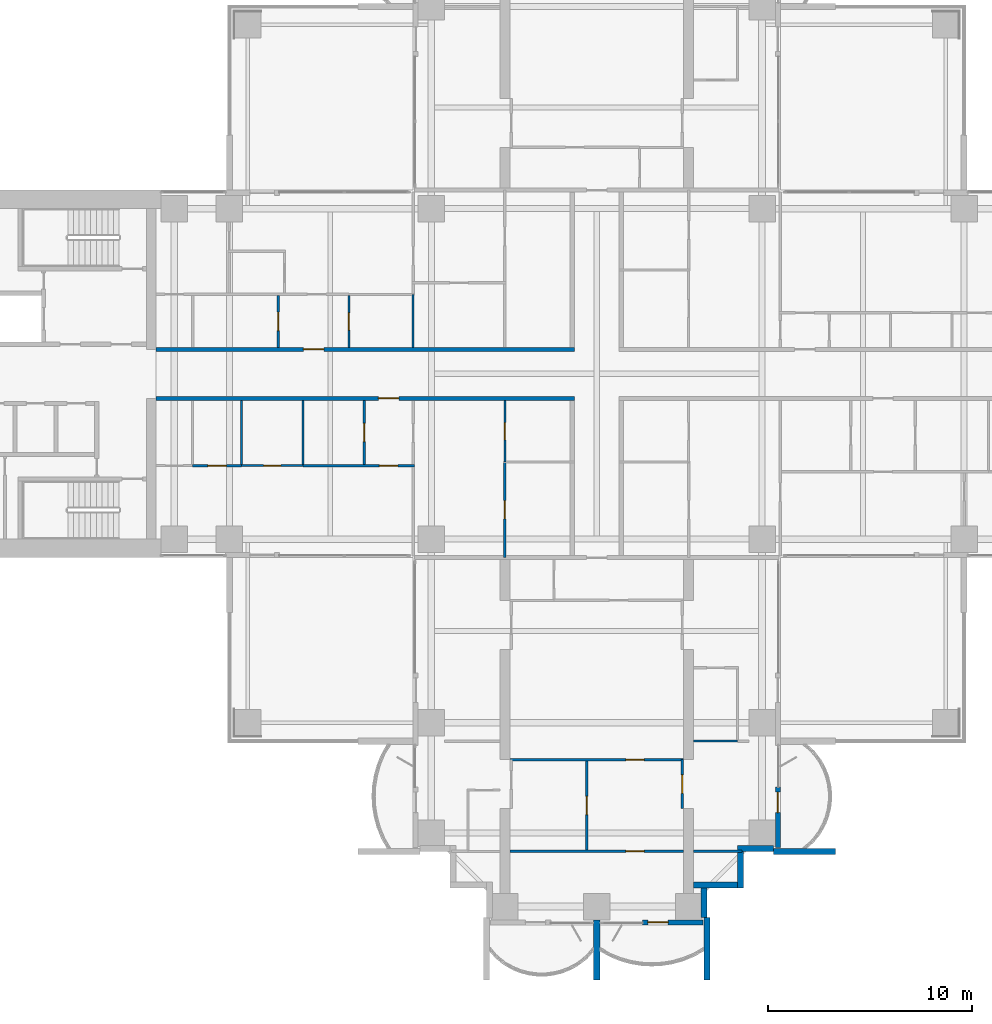
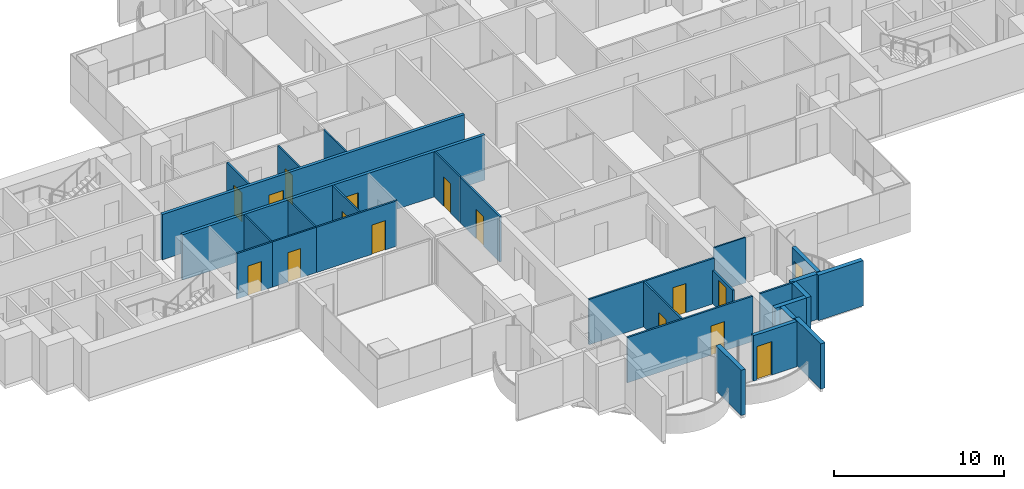
# One storey, part 11 of 21: 28 walls, 16 doors, 16 openings.
"""IFC4 building model written with IfcOpenShell, lengths in metres."""

from ifc_helpers import new_model, si_unit, direction, frame, frame_2d, origin, place, context, subcontext, project, spatial, rectangle, extrude, material, layer, layer_set, type_object, element, fill, save


model = new_model("IFC4")

# Units and contexts
model_context = context("Model", 3, precision=1e-05, world=origin(), true_north=direction((0.0, 1.0)))
body_context = subcontext(model_context, "Body", "Model", "MODEL_VIEW")
ifc_project = project(units=[si_unit("LENGTHUNIT", "METRE"), si_unit("AREAUNIT", "SQUARE_METRE"), si_unit("VOLUMEUNIT", "CUBIC_METRE"), si_unit("PLANEANGLEUNIT", "RADIAN"), si_unit("MASSUNIT", "GRAM", prefix="KILO")], contexts=[model_context])

# Site, building, storey
site_placement = place(None, origin())
site = spatial("IfcSite", under=ifc_project, at=site_placement, CompositionType="ELEMENT")
building_placement = place(site_placement, origin())
building = spatial("IfcBuilding", under=site, at=building_placement, Name="Perihelion Cross Residences", CompositionType="ELEMENT")
storey_placement = place(building_placement, frame((0.0, 0.0, 40.0)))
storey = spatial("IfcBuildingStorey", under=building, at=storey_placement, Name="L06", CompositionType="ELEMENT", Elevation=40.0)

# Wall, opening, door
ifc_material_1 = material(Name="Plasterboard partition")
ifc_layer_1 = layer(ifc_material_1, 0.199951171875)
ifc_layer_set_1 = layer_set([ifc_layer_1], Name="Apartment separation wall 200")
wall_type_1 = type_object("IfcWallType", Name="Apartment separation wall 200", PredefinedType="PARTITIONING", material=ifc_layer_set_1)
wall_1_placement = place(storey_placement, frame((-21.60009765625, 1.199951171875, 0.0), z_axis=(0.0, 0.0, 1.0), x_axis=(1.0, 0.0, 0.0)))
wall_1 = element("IfcWall", 1, at=wall_1_placement, inside=storey, type_object=wall_type_1, Name="Partition L06 W005", PredefinedType="PARTITIONING", context=body_context, shape_type="SweptSolid", body=[
    extrude(rectangle(XDim=20.5, YDim=0.199951171875, at=frame_2d((10.25, 0.0))), origin(), (0.0, 0.0, 1.0), 3.25),
])
opening_1_placement = place(wall_1_placement, frame((7.22509765625, 0.0, 0.0)))
opening_1 = element("IfcOpeningElement", 2, at=opening_1_placement, cuts=wall_1, Name="Opening L06.A52", PredefinedType="OPENING", context=body_context, shape_type="SweptSolid", body=[
    extrude(rectangle(XDim=1.0, YDim=2.10009765625, at=frame_2d((0.5, 1.050048828125))), frame((0.0, 0.10986328125, 0.0), z_axis=(0.0, -1.0, 0.0), x_axis=(1.0, 0.0, 0.0)), (0.0, 0.0, 1.0), 0.219970703125),
])
ifc_material_2 = material(Name="Timber door leaf", Category="wood")
door_type_1 = type_object("IfcDoorType", Name="Flat entrance door 1000 x 2100", OperationType="SINGLE_SWING_LEFT", PredefinedType="DOOR", material=ifc_material_2)
door_1_placement = place(opening_1_placement, origin())
door_1 = element("IfcDoor", 3, at=door_1_placement, inside=storey, type_object=door_type_1, Name="Door L06.A52", OperationType="SINGLE_SWING_RIGHT", OverallHeight=2.10009765625, OverallWidth=1.0, PredefinedType="DOOR", context=body_context, shape_type="SweptSolid", body=[
    extrude(rectangle(XDim=1.0, YDim=2.10009765625, at=frame_2d((0.5, 1.050048828125))), frame((0.0, 0.02490234375, 0.0), z_axis=(0.0, -1.0, 0.0), x_axis=(1.0, 0.0, 0.0)), (0.0, 0.0, 1.0), 0.050048828125),
])
fill(opening_1, door_1)

wall_2_placement = place(storey_placement, frame((-1.10009765625, -1.199951171875, 0.0), z_axis=(0.0, 0.0, 1.0), x_axis=(-1.0, 0.0, 0.0)))
wall_2 = element("IfcWall", 4, at=wall_2_placement, inside=storey, type_object=wall_type_1, Name="Partition L06 W007", PredefinedType="PARTITIONING", context=body_context, shape_type="SweptSolid", body=[
    extrude(rectangle(XDim=20.5, YDim=0.199951171875, at=frame_2d((10.25, 0.0))), origin(), (0.0, 0.0, 1.0), 3.25),
])
opening_2_placement = place(wall_2_placement, frame((8.60009765625, 0.0, 0.0)))
opening_2 = element("IfcOpeningElement", 5, at=opening_2_placement, cuts=wall_2, Name="Opening L06.A53", PredefinedType="OPENING", context=body_context, shape_type="SweptSolid", body=[
    extrude(rectangle(XDim=1.0, YDim=2.10009765625, at=frame_2d((0.5, 1.050048828125))), frame((0.0, 0.10986328125, 0.0), z_axis=(0.0, -1.0, 0.0), x_axis=(1.0, 0.0, 0.0)), (0.0, 0.0, 1.0), 0.219970703125),
])
door_2_placement = place(opening_2_placement, origin())
door_2 = element("IfcDoor", 6, at=door_2_placement, inside=storey, type_object=door_type_1, Name="Door L06.A53", OperationType="SINGLE_SWING_LEFT", OverallHeight=2.10009765625, OverallWidth=1.0, PredefinedType="DOOR", context=body_context, shape_type="SweptSolid", body=[
    extrude(rectangle(XDim=1.0, YDim=2.10009765625, at=frame_2d((0.5, 1.050048828125))), frame((0.0, 0.02490234375, 0.0), z_axis=(0.0, -1.0, 0.0), x_axis=(1.0, 0.0, 0.0)), (0.0, 0.0, 1.0), 0.050048828125),
])
fill(opening_2, door_2)

ifc_material_3 = material(Name="Concrete C30/37, bronze-clad", Category="concrete")
ifc_layer_2 = layer(ifc_material_3, 0.25)
ifc_layer_set_2 = layer_set([ifc_layer_2], Name="Bronze-clad pier wall 250")
wall_type_2 = type_object("IfcWallType", Name="Bronze-clad pier wall 250", PredefinedType="SOLIDWALL", material=ifc_layer_set_2)
wall_3_placement = place(storey_placement, frame((2.25, -26.875, 0.0), z_axis=(0.0, 0.0, 1.0), x_axis=(1.0, 0.0, 0.0)))
wall_3 = element("IfcWall", 7, at=wall_3_placement, inside=storey, type_object=wall_type_2, Name="Wall FW1 L06 south tip south bay 2 pier", PredefinedType="SOLIDWALL", context=body_context, shape_type="SweptSolid", body=[
    extrude(rectangle(XDim=2.949951171875, YDim=0.25, at=frame_2d((1.47509765625, 0.0))), origin(), (0.0, 0.0, 1.0), 3.25),
])
opening_3_placement = place(wall_3_placement, frame((0.25, 0.0, 0.0)))
opening_3 = element("IfcOpeningElement", 8, at=opening_3_placement, cuts=wall_3, Name="Opening L06.E13", PredefinedType="OPENING", context=body_context, shape_type="SweptSolid", body=[
    extrude(rectangle(XDim=1.0, YDim=2.39990234375, at=frame_2d((0.5, 1.199951171875))), frame((0.0, 0.135009765625, 0.0), z_axis=(0.0, -1.0, 0.0), x_axis=(1.0, 0.0, 0.0)), (0.0, 0.0, 1.0), 0.27001953125),
])
ifc_material_4 = material(Name="Bronze anodised aluminium, glazed", Category="aluminium")
door_type_2 = type_object("IfcDoorType", Name="Balcony door 1000 x 2400", OperationType="NOTDEFINED", PredefinedType="DOOR", material=ifc_material_4)
door_3_placement = place(opening_3_placement, origin())
door_3 = element("IfcDoor", 9, at=door_3_placement, inside=storey, type_object=door_type_2, Name="Door L06.E13 south tip south bay 2", OperationType="SINGLE_SWING_RIGHT", OverallHeight=2.39990234375, OverallWidth=1.0, PredefinedType="DOOR", context=body_context, shape_type="SweptSolid", body=[
    extrude(rectangle(XDim=1.0, YDim=2.39990234375, at=frame_2d((0.5, 1.199951171875))), frame((0.0, 0.02490234375, 0.0), z_axis=(0.0, -1.0, 0.0), x_axis=(1.0, 0.0, 0.0)), (0.0, 0.0, 1.0), 0.050048828125),
])
fill(opening_3, door_3)

wall_4_placement = place(storey_placement, frame((8.875, -23.199951171875, 0.0), z_axis=(0.0, 0.0, 1.0), x_axis=(0.0, 1.0, 0.0)))
wall_4 = element("IfcWall", 10, at=wall_4_placement, inside=storey, type_object=wall_type_2, Name="Wall FW1 L06 south side east bay 1 pier", PredefinedType="SOLIDWALL", context=body_context, shape_type="SweptSolid", body=[
    extrude(rectangle(XDim=2.949951171875, YDim=0.25, at=frame_2d((1.47509765625, 0.0))), origin(), (0.0, 0.0, 1.0), 3.25),
])
opening_4_placement = place(wall_4_placement, frame((1.699951171875, 0.0, 0.0)))
opening_4 = element("IfcOpeningElement", 11, at=opening_4_placement, cuts=wall_4, Name="Opening L06.E14", PredefinedType="OPENING", context=body_context, shape_type="SweptSolid", body=[
    extrude(rectangle(XDim=1.0, YDim=2.39990234375, at=frame_2d((0.5, 1.199951171875))), frame((0.0, 0.135009765625, 0.0), z_axis=(0.0, -1.0, 0.0), x_axis=(1.0, 0.0, 0.0)), (0.0, 0.0, 1.0), 0.27001953125),
])
door_4_placement = place(opening_4_placement, origin())
door_4 = element("IfcDoor", 12, at=door_4_placement, inside=storey, type_object=door_type_2, Name="Door L06.E14 south side east bay 1", OperationType="SINGLE_SWING_LEFT", OverallHeight=2.39990234375, OverallWidth=1.0, PredefinedType="DOOR", context=body_context, shape_type="SweptSolid", body=[
    extrude(rectangle(XDim=1.0, YDim=2.39990234375, at=frame_2d((0.5, 1.199951171875))), frame((0.0, 0.02490234375, 0.0), z_axis=(0.0, -1.0, 0.0), x_axis=(1.0, 0.0, 0.0)), (0.0, 0.0, 1.0), 0.050048828125),
])
fill(opening_4, door_4)

# Walls
ifc_material_5 = material(Name="Concrete C30/37, bronze-clad", Category="concrete")
ifc_layer_3 = layer(ifc_material_5, 0.300048828125)
ifc_layer_set_3 = layer_set([ifc_layer_3], Name="Bronze-clad serration wall 300")
wall_type_3 = type_object("IfcWallType", Name="Bronze-clad serration wall 300", PredefinedType="SOLIDWALL", material=ifc_layer_set_3)
wall_5_placement = place(storey_placement, frame((5.25, -26.64990234375, 0.0), z_axis=(0.0, 0.0, 1.0), x_axis=(0.0, 1.0, 0.0)))
element("IfcWall", 13, at=wall_5_placement, inside=storey, type_object=wall_type_3, Name="Wall SR1 L06 south corner south-east 1", PredefinedType="SOLIDWALL", context=body_context, shape_type="SweptSolid", body=[
    extrude(rectangle(XDim=1.449951171875, YDim=0.300048828125, at=frame_2d((0.72509765625, 0.0))), origin(), (0.0, 0.0, 1.0), 3.25),
])
wall_6_placement = place(storey_placement, frame((4.75, -25.050048828125, 0.0), z_axis=(0.0, 0.0, 1.0), x_axis=(1.0, 0.0, 0.0)))
element("IfcWall", 14, at=wall_6_placement, inside=storey, type_object=wall_type_3, Name="Wall SR1 L06 south corner south-east 2", PredefinedType="SOLIDWALL", context=body_context, shape_type="SweptSolid", body=[
    extrude(rectangle(XDim=2.14990234375, YDim=0.300048828125, at=frame_2d((1.074951171875, 0.0))), origin(), (0.0, 0.0, 1.0), 3.25),
])
wall_7_placement = place(storey_placement, frame((7.050048828125, -25.199951171875, 0.0), z_axis=(0.0, 0.0, 1.0), x_axis=(0.0, 1.0, 0.0)))
element("IfcWall", 15, at=wall_7_placement, inside=storey, type_object=wall_type_3, Name="Wall SR1 L06 south corner south-east 3", PredefinedType="SOLIDWALL", context=body_context, shape_type="SweptSolid", body=[
    extrude(rectangle(XDim=1.800048828125, YDim=0.300048828125, at=frame_2d((0.89990234375, 0.0))), origin(), (0.0, 0.0, 1.0), 3.25),
])
wall_8_placement = place(storey_placement, frame((6.89990234375, -23.25, 0.0), z_axis=(0.0, 0.0, 1.0), x_axis=(1.0, 0.0, 0.0)))
element("IfcWall", 16, at=wall_8_placement, inside=storey, type_object=wall_type_3, Name="Wall SR1 L06 south corner south-east 4", PredefinedType="SOLIDWALL", context=body_context, shape_type="SweptSolid", body=[
    extrude(rectangle(XDim=1.75, YDim=0.300048828125, at=frame_2d((0.875, 0.0))), origin(), (0.0, 0.0, 1.0), 3.25),
])

# Wall, opening, door
ifc_material_6 = material(Name="Plasterboard partition")
ifc_layer_4 = layer(ifc_material_6, 0.1201171875)
ifc_layer_set_4 = layer_set([ifc_layer_4], Name="Infill panel 120")
wall_type_4 = type_object("IfcWallType", Name="Infill panel 120", PredefinedType="PARTITIONING", material=ifc_layer_set_4)
wall_9_placement = place(storey_placement, frame((4.18994140625, -18.89990234375, 0.0), z_axis=(0.0, 0.0, 1.0), x_axis=(0.0, -1.0, 0.0)))
wall_9 = element("IfcWall", 17, at=wall_9_placement, inside=storey, type_object=wall_type_4, Name="Partition L06 WI06", PredefinedType="PARTITIONING", context=body_context, shape_type="SweptSolid", body=[
    extrude(rectangle(XDim=2.400146484375, YDim=0.1201171875, at=frame_2d((1.2001953125, 0.0))), origin(), (0.0, 0.0, 1.0), 2.39990234375),
])
opening_5_placement = place(wall_9_placement, frame((0.75, 0.0, 0.0)))
opening_5 = element("IfcOpeningElement", 18, at=opening_5_placement, cuts=wall_9, Name="Opening L06.A59", PredefinedType="OPENING", context=body_context, shape_type="SweptSolid", body=[
    extrude(rectangle(XDim=0.89990234375, YDim=2.10009765625, at=frame_2d((0.449951171875, 1.050048828125))), frame((0.0, 0.070068359375, 0.0), z_axis=(0.0, -1.0, 0.0), x_axis=(1.0, 0.0, 0.0)), (0.0, 0.0, 1.0), 0.14013671875),
])
ifc_material_7 = material(Name="Timber door leaf", Category="wood")
door_type_3 = type_object("IfcDoorType", Name="Interior room door 900 x 2100", OperationType="SINGLE_SWING_LEFT", PredefinedType="DOOR", material=ifc_material_7)
door_5_placement = place(opening_5_placement, origin())
door_5 = element("IfcDoor", 19, at=door_5_placement, inside=storey, type_object=door_type_3, Name="Door L06.A59", OperationType="SINGLE_SWING_RIGHT", OverallHeight=2.10009765625, OverallWidth=0.89990234375, PredefinedType="DOOR", context=body_context, shape_type="SweptSolid", body=[
    extrude(rectangle(XDim=0.89990234375, YDim=2.10009765625, at=frame_2d((0.449951171875, 1.050048828125))), frame((0.0, 0.02490234375, 0.0), z_axis=(0.0, -1.0, 0.0), x_axis=(1.0, 0.0, 0.0)), (0.0, 0.0, 1.0), 0.050048828125),
])
fill(opening_5, door_5)

ifc_material_8 = material(Name="Plasterboard partition")
ifc_layer_5 = layer(ifc_material_8, 0.1201171875)
ifc_layer_set_5 = layer_set([ifc_layer_5], Name="Partition wall 120")
wall_type_5 = type_object("IfcWallType", Name="Partition wall 120", PredefinedType="PARTITIONING", material=ifc_layer_set_5)
wall_10_placement = place(storey_placement, frame((-15.60009765625, 1.300048828125, 0.0), z_axis=(0.0, 0.0, 1.0), x_axis=(0.0, 1.0, 0.0)))
wall_10 = element("IfcWall", 20, at=wall_10_placement, inside=storey, type_object=wall_type_5, Name="Partition L06 W036", PredefinedType="PARTITIONING", context=body_context, shape_type="SweptSolid", body=[
    extrude(rectangle(XDim=2.5400390625, YDim=0.1201171875, at=frame_2d((1.27001953125, 0.0))), origin(), (0.0, 0.0, 1.0), 3.25),
])
opening_6_placement = place(wall_10_placement, frame((0.820068359375, 0.0, 0.0)))
opening_6 = element("IfcOpeningElement", 21, at=opening_6_placement, cuts=wall_10, Name="Opening L06.A18", PredefinedType="OPENING", context=body_context, shape_type="SweptSolid", body=[
    extrude(rectangle(XDim=0.89990234375, YDim=2.10009765625, at=frame_2d((0.449951171875, 1.050048828125))), frame((0.0, 0.070068359375, 0.0), z_axis=(0.0, -1.0, 0.0), x_axis=(1.0, 0.0, 0.0)), (0.0, 0.0, 1.0), 0.14013671875),
])
door_6_placement = place(opening_6_placement, origin())
door_6 = element("IfcDoor", 22, at=door_6_placement, inside=storey, type_object=door_type_3, Name="Door L06.A18", OperationType="SINGLE_SWING_RIGHT", OverallHeight=2.10009765625, OverallWidth=0.89990234375, PredefinedType="DOOR", context=body_context, shape_type="SweptSolid", body=[
    extrude(rectangle(XDim=0.89990234375, YDim=2.10009765625, at=frame_2d((0.449951171875, 1.050048828125))), frame((0.0, 0.02490234375, 0.0), z_axis=(0.0, -1.0, 0.0), x_axis=(1.0, 0.0, 0.0)), (0.0, 0.0, 1.0), 0.050048828125),
])
fill(opening_6, door_6)

wall_11_placement = place(storey_placement, frame((-11.39990234375, -4.43994140625, 0.0), z_axis=(0.0, 0.0, 1.0), x_axis=(0.0, 1.0, 0.0)))
wall_11 = element("IfcWall", 23, at=wall_11_placement, inside=storey, type_object=wall_type_5, Name="Partition L06 W045", PredefinedType="PARTITIONING", context=body_context, shape_type="SweptSolid", body=[
    extrude(rectangle(XDim=3.139892578125, YDim=0.1201171875, at=frame_2d((1.56982421875, 0.0))), origin(), (0.0, 0.0, 1.0), 3.25),
])
opening_7_placement = place(wall_11_placement, frame((1.1201171875, 0.0, 0.0)))
opening_7 = element("IfcOpeningElement", 24, at=opening_7_placement, cuts=wall_11, Name="Opening L06.A27", PredefinedType="OPENING", context=body_context, shape_type="SweptSolid", body=[
    extrude(rectangle(XDim=0.89990234375, YDim=2.10009765625, at=frame_2d((0.449951171875, 1.050048828125))), frame((0.0, 0.070068359375, 0.0), z_axis=(0.0, -1.0, 0.0), x_axis=(1.0, 0.0, 0.0)), (0.0, 0.0, 1.0), 0.14013671875),
])
door_7_placement = place(opening_7_placement, origin())
door_7 = element("IfcDoor", 25, at=door_7_placement, inside=storey, type_object=door_type_3, Name="Door L06.A27", OperationType="SINGLE_SWING_RIGHT", OverallHeight=2.10009765625, OverallWidth=0.89990234375, PredefinedType="DOOR", context=body_context, shape_type="SweptSolid", body=[
    extrude(rectangle(XDim=0.89990234375, YDim=2.10009765625, at=frame_2d((0.449951171875, 1.050048828125))), frame((0.0, 0.02490234375, 0.0), z_axis=(0.0, -1.0, 0.0), x_axis=(1.0, 0.0, 0.0)), (0.0, 0.0, 1.0), 0.050048828125),
])
fill(opening_7, door_7)

wall_12_placement = place(storey_placement, frame((-8.93994140625, -4.5, 0.0), z_axis=(0.0, 0.0, 1.0), x_axis=(-1.0, 0.0, 0.0)))
wall_12 = element("IfcWall", 26, at=wall_12_placement, inside=storey, type_object=wall_type_5, Name="Partition L06 W046", PredefinedType="PARTITIONING", context=body_context, shape_type="SweptSolid", body=[
    extrude(rectangle(XDim=5.4599609375, YDim=0.1201171875, at=frame_2d((2.72998046875, 0.0))), origin(), (0.0, 0.0, 1.0), 3.25),
])
opening_8_placement = place(wall_12_placement, frame((0.81005859375, 0.0, 0.0)))
opening_8 = element("IfcOpeningElement", 27, at=opening_8_placement, cuts=wall_12, Name="Opening L06.A32", PredefinedType="OPENING", context=body_context, shape_type="SweptSolid", body=[
    extrude(rectangle(XDim=0.89990234375, YDim=2.10009765625, at=frame_2d((0.449951171875, 1.050048828125))), frame((0.0, 0.070068359375, 0.0), z_axis=(0.0, -1.0, 0.0), x_axis=(1.0, 0.0, 0.0)), (0.0, 0.0, 1.0), 0.14013671875),
])
door_8_placement = place(opening_8_placement, origin())
door_8 = element("IfcDoor", 28, at=door_8_placement, inside=storey, type_object=door_type_3, Name="Door L06.A32", OperationType="SINGLE_SWING_RIGHT", OverallHeight=2.10009765625, OverallWidth=0.89990234375, PredefinedType="DOOR", context=body_context, shape_type="SweptSolid", body=[
    extrude(rectangle(XDim=0.89990234375, YDim=2.10009765625, at=frame_2d((0.449951171875, 1.050048828125))), frame((0.0, 0.02490234375, 0.0), z_axis=(0.0, -1.0, 0.0), x_axis=(1.0, 0.0, 0.0)), (0.0, 0.0, 1.0), 0.050048828125),
])
fill(opening_8, door_8)

wall_13_placement = place(storey_placement, frame((-17.39990234375, -4.5, 0.0), z_axis=(0.0, 0.0, 1.0), x_axis=(-1.0, 0.0, 0.0)))
wall_13 = element("IfcWall", 29, at=wall_13_placement, inside=storey, type_object=wall_type_5, Name="Partition L06 W052", PredefinedType="PARTITIONING", context=body_context, shape_type="SweptSolid", body=[
    extrude(rectangle(XDim=2.400146484375, YDim=0.1201171875, at=frame_2d((1.2001953125, 0.0))), origin(), (0.0, 0.0, 1.0), 3.25),
])
opening_9_placement = place(wall_13_placement, frame((0.75, 0.0, 0.0)))
opening_9 = element("IfcOpeningElement", 30, at=opening_9_placement, cuts=wall_13, Name="Opening L06.A33", PredefinedType="OPENING", context=body_context, shape_type="SweptSolid", body=[
    extrude(rectangle(XDim=0.89990234375, YDim=2.10009765625, at=frame_2d((0.449951171875, 1.050048828125))), frame((0.0, 0.070068359375, 0.0), z_axis=(0.0, -1.0, 0.0), x_axis=(1.0, 0.0, 0.0)), (0.0, 0.0, 1.0), 0.14013671875),
])
door_9_placement = place(opening_9_placement, origin())
door_9 = element("IfcDoor", 31, at=door_9_placement, inside=storey, type_object=door_type_3, Name="Door L06.A33", OperationType="SINGLE_SWING_RIGHT", OverallHeight=2.10009765625, OverallWidth=0.89990234375, PredefinedType="DOOR", context=body_context, shape_type="SweptSolid", body=[
    extrude(rectangle(XDim=0.89990234375, YDim=2.10009765625, at=frame_2d((0.449951171875, 1.050048828125))), frame((0.0, 0.02490234375, 0.0), z_axis=(0.0, -1.0, 0.0), x_axis=(1.0, 0.0, 0.0)), (0.0, 0.0, 1.0), 0.050048828125),
])
fill(opening_9, door_9)

wall_14_placement = place(storey_placement, frame((-4.5, -4.320068359375, 0.0), z_axis=(0.0, 0.0, 1.0), x_axis=(0.0, -1.0, 0.0)))
wall_14 = element("IfcWall", 32, at=wall_14_placement, inside=storey, type_object=wall_type_5, Name="Partition L06 W055", PredefinedType="PARTITIONING", context=body_context, shape_type="SweptSolid", body=[
    extrude(rectangle(XDim=4.679931640625, YDim=0.1201171875, at=frame_2d((2.33984375, 0.0))), origin(), (0.0, 0.0, 1.0), 3.25),
])
opening_10_placement = place(wall_14_placement, frame((1.889892578125, 0.0, 0.0)))
opening_10 = element("IfcOpeningElement", 33, at=opening_10_placement, cuts=wall_14, Name="Opening L06.A29", PredefinedType="OPENING", context=body_context, shape_type="SweptSolid", body=[
    extrude(rectangle(XDim=0.89990234375, YDim=2.10009765625, at=frame_2d((0.449951171875, 1.050048828125))), frame((0.0, 0.070068359375, 0.0), z_axis=(0.0, -1.0, 0.0), x_axis=(1.0, 0.0, 0.0)), (0.0, 0.0, 1.0), 0.14013671875),
])
door_10_placement = place(opening_10_placement, origin())
door_10 = element("IfcDoor", 34, at=door_10_placement, inside=storey, type_object=door_type_3, Name="Door L06.A29", OperationType="SINGLE_SWING_RIGHT", OverallHeight=2.10009765625, OverallWidth=0.89990234375, PredefinedType="DOOR", context=body_context, shape_type="SweptSolid", body=[
    extrude(rectangle(XDim=0.89990234375, YDim=2.10009765625, at=frame_2d((0.449951171875, 1.050048828125))), frame((0.0, 0.02490234375, 0.0), z_axis=(0.0, -1.0, 0.0), x_axis=(1.0, 0.0, 0.0)), (0.0, 0.0, 1.0), 0.050048828125),
])
fill(opening_10, door_10)

wall_15_placement = place(storey_placement, frame((4.25, -18.89990234375, 0.0), z_axis=(0.0, 0.0, 1.0), x_axis=(-1.0, 0.0, 0.0)))
wall_15 = element("IfcWall", 35, at=wall_15_placement, inside=storey, type_object=wall_type_5, Name="Partition L06 W075", PredefinedType="PARTITIONING", context=body_context, shape_type="SweptSolid", body=[
    extrude(rectangle(XDim=8.5, YDim=0.1201171875, at=frame_2d((4.25, 0.0))), origin(), (0.0, 0.0, 1.0), 3.25),
])
opening_11_placement = place(wall_15_placement, frame((1.925048828125, 0.0, 0.0)))
opening_11 = element("IfcOpeningElement", 36, at=opening_11_placement, cuts=wall_15, Name="Opening L06.A45", PredefinedType="OPENING", context=body_context, shape_type="SweptSolid", body=[
    extrude(rectangle(XDim=0.89990234375, YDim=2.10009765625, at=frame_2d((0.449951171875, 1.050048828125))), frame((0.0, 0.070068359375, 0.0), z_axis=(0.0, -1.0, 0.0), x_axis=(1.0, 0.0, 0.0)), (0.0, 0.0, 1.0), 0.14013671875),
])
door_11_placement = place(opening_11_placement, origin())
door_11 = element("IfcDoor", 37, at=door_11_placement, inside=storey, type_object=door_type_3, Name="Door L06.A45", OperationType="SINGLE_SWING_RIGHT", OverallHeight=2.10009765625, OverallWidth=0.89990234375, PredefinedType="DOOR", context=body_context, shape_type="SweptSolid", body=[
    extrude(rectangle(XDim=0.89990234375, YDim=2.10009765625, at=frame_2d((0.449951171875, 1.050048828125))), frame((0.0, 0.02490234375, 0.0), z_axis=(0.0, -1.0, 0.0), x_axis=(1.0, 0.0, 0.0)), (0.0, 0.0, 1.0), 0.050048828125),
])
fill(opening_11, door_11)

wall_16_placement = place(storey_placement, frame((-0.5, -23.340087890625, 0.0), z_axis=(0.0, 0.0, 1.0), x_axis=(0.0, 1.0, 0.0)))
wall_16 = element("IfcWall", 38, at=wall_16_placement, inside=storey, type_object=wall_type_5, Name="Partition L06 W076", PredefinedType="PARTITIONING", context=body_context, shape_type="SweptSolid", body=[
    extrude(rectangle(XDim=4.380126953125, YDim=0.1201171875, at=frame_2d((2.18994140625, 0.0))), origin(), (0.0, 0.0, 1.0), 3.25),
])
opening_12_placement = place(wall_16_placement, frame((1.739990234375, 0.0, 0.0)))
opening_12 = element("IfcOpeningElement", 39, at=opening_12_placement, cuts=wall_16, Name="Opening L06.A46", PredefinedType="OPENING", context=body_context, shape_type="SweptSolid", body=[
    extrude(rectangle(XDim=0.89990234375, YDim=2.10009765625, at=frame_2d((0.449951171875, 1.050048828125))), frame((0.0, 0.070068359375, 0.0), z_axis=(0.0, -1.0, 0.0), x_axis=(1.0, 0.0, 0.0)), (0.0, 0.0, 1.0), 0.14013671875),
])
door_12_placement = place(opening_12_placement, origin())
door_12 = element("IfcDoor", 40, at=door_12_placement, inside=storey, type_object=door_type_3, Name="Door L06.A46", OperationType="SINGLE_SWING_LEFT", OverallHeight=2.10009765625, OverallWidth=0.89990234375, PredefinedType="DOOR", context=body_context, shape_type="SweptSolid", body=[
    extrude(rectangle(XDim=0.89990234375, YDim=2.10009765625, at=frame_2d((0.449951171875, 1.050048828125))), frame((0.0, 0.02490234375, 0.0), z_axis=(0.0, -1.0, 0.0), x_axis=(1.0, 0.0, 0.0)), (0.0, 0.0, 1.0), 0.050048828125),
])
fill(opening_12, door_12)

wall_17_placement = place(storey_placement, frame((4.25, -23.39990234375, 0.0), z_axis=(0.0, 0.0, 1.0), x_axis=(-1.0, 0.0, 0.0)))
wall_17 = element("IfcWall", 41, at=wall_17_placement, inside=storey, type_object=wall_type_5, Name="Partition L06 W077", PredefinedType="PARTITIONING", context=body_context, shape_type="SweptSolid", body=[
    extrude(rectangle(XDim=8.5, YDim=0.1201171875, at=frame_2d((4.25, 0.0))), origin(), (0.0, 0.0, 1.0), 3.25),
])
opening_13_placement = place(wall_17_placement, frame((1.925048828125, 0.0, 0.0)))
opening_13 = element("IfcOpeningElement", 42, at=opening_13_placement, cuts=wall_17, Name="Opening L06.A47", PredefinedType="OPENING", context=body_context, shape_type="SweptSolid", body=[
    extrude(rectangle(XDim=0.89990234375, YDim=2.10009765625, at=frame_2d((0.449951171875, 1.050048828125))), frame((0.0, 0.070068359375, 0.0), z_axis=(0.0, -1.0, 0.0), x_axis=(1.0, 0.0, 0.0)), (0.0, 0.0, 1.0), 0.14013671875),
])
door_13_placement = place(opening_13_placement, origin())
door_13 = element("IfcDoor", 43, at=door_13_placement, inside=storey, type_object=door_type_3, Name="Door L06.A47", OperationType="SINGLE_SWING_LEFT", OverallHeight=2.10009765625, OverallWidth=0.89990234375, PredefinedType="DOOR", context=body_context, shape_type="SweptSolid", body=[
    extrude(rectangle(XDim=0.89990234375, YDim=2.10009765625, at=frame_2d((0.449951171875, 1.050048828125))), frame((0.0, 0.02490234375, 0.0), z_axis=(0.0, -1.0, 0.0), x_axis=(1.0, 0.0, 0.0)), (0.0, 0.0, 1.0), 0.050048828125),
])
fill(opening_13, door_13)

# Walls
wall_18_placement = place(storey_placement, frame((7.1201171875, -23.39990234375, 0.0), z_axis=(0.0, 0.0, 1.0), x_axis=(-1.0, 0.0, 0.0)))
element("IfcWall", 44, at=wall_18_placement, inside=storey, type_object=wall_type_5, Name="Partition L06 W082", PredefinedType="PARTITIONING", context=body_context, shape_type="SweptSolid", body=[
    extrude(rectangle(XDim=2.3701171875, YDim=0.1201171875, at=frame_2d((1.18505859375, 0.0))), origin(), (0.0, 0.0, 1.0), 3.25),
])
ifc_material_9 = material(Name="Precast concrete C50/60", Category="concrete")
ifc_layer_6 = layer(ifc_material_9, 0.300048828125)
ifc_layer_set_6 = layer_set([ifc_layer_6], Name="Precast concrete C50/60 blade wall 300")
wall_type_6 = type_object("IfcWallType", Name="Precast concrete C50/60 blade wall 300", PredefinedType="SOLIDWALL", material=ifc_layer_set_6)
wall_19_placement = place(storey_placement, frame((0.0, -26.75, 0.0), z_axis=(0.0, 0.0, 1.0), x_axis=(0.0, -1.0, 0.0)))
element("IfcWall", 45, at=wall_19_placement, inside=storey, type_object=wall_type_6, Name="Wall BL1 L06 no. 9", PredefinedType="SOLIDWALL", context=body_context, shape_type="SweptSolid", body=[
    extrude(rectangle(XDim=2.949951171875, YDim=0.300048828125, at=frame_2d((1.47509765625, 0.0))), origin(), (0.0, 0.0, 1.0), 3.25),
])
for number, where, z_axis, x_axis, name in (
    (46, (5.39990234375, -26.64990234375, 0.0), (0.0, 0.0, 1.0), (0.0, -1.0, 0.0), "Wall BL1 L06 no. 13"),
    (47, (8.64990234375, -23.39990234375, 0.0), (0.0, 0.0, 1.0), (1.0, 0.0, 0.0), "Wall BL1 L06 no. 16"),
):
    element("IfcWall", number, at=place(storey_placement, frame(where, z_axis=z_axis, x_axis=x_axis)), inside=storey, type_object=wall_type_6, Name=name, PredefinedType="SOLIDWALL", context=body_context, shape_type="SweptSolid", body=[
        extrude(rectangle(XDim=3.050048828125, YDim=0.300048828125, at=frame_2d((1.52490234375, 0.0))), origin(), (0.0, 0.0, 1.0), 3.25),
    ])

# Wall, opening, door
ifc_material_10 = material(Name="Plasterboard partition")
ifc_layer_7 = layer(ifc_material_10, 0.10009765625)
ifc_layer_set_7 = layer_set([ifc_layer_7], Name="Wet room wall 100")
wall_type_7 = type_object("IfcWallType", Name="Wet room wall 100", PredefinedType="PARTITIONING", material=ifc_layer_set_7)
wall_20_placement = place(storey_placement, frame((-12.14990234375, 1.300048828125, 0.0), z_axis=(0.0, 0.0, 1.0), x_axis=(0.0, 1.0, 0.0)))
wall_20 = element("IfcWall", 48, at=wall_20_placement, inside=storey, type_object=wall_type_7, Name="Partition L06 W033", PredefinedType="PARTITIONING", context=body_context, shape_type="SweptSolid", body=[
    extrude(rectangle(XDim=2.5400390625, YDim=0.10009765625, at=frame_2d((1.27001953125, 0.0))), origin(), (0.0, 0.0, 1.0), 3.25),
])
opening_14_placement = place(wall_20_placement, frame((0.844970703125, 0.0, 0.0)))
opening_14 = element("IfcOpeningElement", 49, at=opening_14_placement, cuts=wall_20, Name="Opening L06.A22", PredefinedType="OPENING", context=body_context, shape_type="SweptSolid", body=[
    extrude(rectangle(XDim=0.85009765625, YDim=2.10009765625, at=frame_2d((0.425048828125, 1.050048828125))), frame((0.0, 0.06005859375, 0.0), z_axis=(0.0, -1.0, 0.0), x_axis=(1.0, 0.0, 0.0)), (0.0, 0.0, 1.0), 0.1201171875),
])
ifc_material_11 = material(Name="Timber door leaf", Category="wood")
door_type_4 = type_object("IfcDoorType", Name="Interior bathroom door 850 x 2100", OperationType="SINGLE_SWING_LEFT", PredefinedType="DOOR", material=ifc_material_11)
door_14_placement = place(opening_14_placement, origin())
door_14 = element("IfcDoor", 50, at=door_14_placement, inside=storey, type_object=door_type_4, Name="Door L06.A22", OperationType="SINGLE_SWING_LEFT", OverallHeight=2.10009765625, OverallWidth=0.85009765625, PredefinedType="DOOR", context=body_context, shape_type="SweptSolid", body=[
    extrude(rectangle(XDim=0.85009765625, YDim=2.10009765625, at=frame_2d((0.425048828125, 1.050048828125))), frame((0.0, 0.02490234375, 0.0), z_axis=(0.0, -1.0, 0.0), x_axis=(1.0, 0.0, 0.0)), (0.0, 0.0, 1.0), 0.050048828125),
])
fill(opening_14, door_14)

# Walls
wall_21_placement = place(storey_placement, frame((-9.0, 3.89990234375, 0.0), z_axis=(0.0, 0.0, 1.0), x_axis=(0.0, -1.0, 0.0)))
element("IfcWall", 51, at=wall_21_placement, inside=storey, type_object=wall_type_7, Name="Partition L06 W035", PredefinedType="PARTITIONING", context=body_context, shape_type="SweptSolid", body=[
    extrude(rectangle(XDim=2.599853515625, YDim=0.10009765625, at=frame_2d((1.2998046875, 0.0))), origin(), (0.0, 0.0, 1.0), 3.25),
])
for number, where, z_axis, x_axis, name in (
    (52, (-14.39990234375, -4.43994140625, 0.0), (0.0, 0.0, 1.0), (0.0, 1.0, 0.0), "Partition L06 W048"),
    (53, (-17.39990234375, -4.43994140625, 0.0), (0.0, 0.0, 1.0), (0.0, 1.0, 0.0), "Partition L06 W049"),
):
    element("IfcWall", number, at=place(storey_placement, frame(where, z_axis=z_axis, x_axis=x_axis)), inside=storey, type_object=wall_type_7, Name=name, PredefinedType="PARTITIONING", context=body_context, shape_type="SweptSolid", body=[
        extrude(rectangle(XDim=3.139892578125, YDim=0.10009765625, at=frame_2d((1.56982421875, 0.0))), origin(), (0.0, 0.0, 1.0), 3.25),
    ])

# Wall, opening, door
wall_22_placement = place(storey_placement, frame((-14.39990234375, -4.5, 0.0), z_axis=(0.0, 0.0, 1.0), x_axis=(-1.0, 0.0, 0.0)))
wall_22 = element("IfcWall", 54, at=wall_22_placement, inside=storey, type_object=wall_type_7, Name="Partition L06 W050", PredefinedType="PARTITIONING", context=body_context, shape_type="SweptSolid", body=[
    extrude(rectangle(XDim=3.0, YDim=0.10009765625, at=frame_2d((1.5, 0.0))), origin(), (0.0, 0.0, 1.0), 3.25),
])
opening_15_placement = place(wall_22_placement, frame((1.074951171875, 0.0, 0.0)))
opening_15 = element("IfcOpeningElement", 55, at=opening_15_placement, cuts=wall_22, Name="Opening L06.A26", PredefinedType="OPENING", context=body_context, shape_type="SweptSolid", body=[
    extrude(rectangle(XDim=0.85009765625, YDim=2.10009765625, at=frame_2d((0.425048828125, 1.050048828125))), frame((0.0, 0.06005859375, 0.0), z_axis=(0.0, -1.0, 0.0), x_axis=(1.0, 0.0, 0.0)), (0.0, 0.0, 1.0), 0.1201171875),
])
door_15_placement = place(opening_15_placement, origin())
door_15 = element("IfcDoor", 56, at=door_15_placement, inside=storey, type_object=door_type_4, Name="Door L06.A26", OperationType="SINGLE_SWING_LEFT", OverallHeight=2.10009765625, OverallWidth=0.85009765625, PredefinedType="DOOR", context=body_context, shape_type="SweptSolid", body=[
    extrude(rectangle(XDim=0.85009765625, YDim=2.10009765625, at=frame_2d((0.425048828125, 1.050048828125))), frame((0.0, 0.02490234375, 0.0), z_axis=(0.0, -1.0, 0.0), x_axis=(1.0, 0.0, 0.0)), (0.0, 0.0, 1.0), 0.050048828125),
])
fill(opening_15, door_15)

wall_23_placement = place(storey_placement, frame((-4.5, -1.300048828125, 0.0), z_axis=(0.0, 0.0, 1.0), x_axis=(0.0, -1.0, 0.0)))
wall_23 = element("IfcWall", 57, at=wall_23_placement, inside=storey, type_object=wall_type_7, Name="Partition L06 W054", PredefinedType="PARTITIONING", context=body_context, shape_type="SweptSolid", body=[
    extrude(rectangle(XDim=3.02001953125, YDim=0.10009765625, at=frame_2d((1.510009765625, 0.0))), origin(), (0.0, 0.0, 1.0), 3.25),
])
opening_16_placement = place(wall_23_placement, frame((1.0849609375, 0.0, 0.0)))
opening_16 = element("IfcOpeningElement", 58, at=opening_16_placement, cuts=wall_23, Name="Opening L06.A30", PredefinedType="OPENING", context=body_context, shape_type="SweptSolid", body=[
    extrude(rectangle(XDim=0.85009765625, YDim=2.10009765625, at=frame_2d((0.425048828125, 1.050048828125))), frame((0.0, 0.06005859375, 0.0), z_axis=(0.0, -1.0, 0.0), x_axis=(1.0, 0.0, 0.0)), (0.0, 0.0, 1.0), 0.1201171875),
])
door_16_placement = place(opening_16_placement, origin())
door_16 = element("IfcDoor", 59, at=door_16_placement, inside=storey, type_object=door_type_4, Name="Door L06.A30", OperationType="SINGLE_SWING_LEFT", OverallHeight=2.10009765625, OverallWidth=0.85009765625, PredefinedType="DOOR", context=body_context, shape_type="SweptSolid", body=[
    extrude(rectangle(XDim=0.85009765625, YDim=2.10009765625, at=frame_2d((0.425048828125, 1.050048828125))), frame((0.0, 0.02490234375, 0.0), z_axis=(0.0, -1.0, 0.0), x_axis=(1.0, 0.0, 0.0)), (0.0, 0.0, 1.0), 0.050048828125),
])
fill(opening_16, door_16)

# Wall
wall_24_placement = place(storey_placement, frame((6.89990234375, -18.0, 0.0), z_axis=(0.0, 0.0, 1.0), x_axis=(-1.0, 0.0, 0.0)))
element("IfcWall", 60, at=wall_24_placement, inside=storey, type_object=wall_type_7, Name="Partition L06 W081", PredefinedType="PARTITIONING", context=body_context, shape_type="SweptSolid", body=[
    extrude(rectangle(XDim=2.14990234375, YDim=0.10009765625, at=frame_2d((1.074951171875, 0.0))), origin(), (0.0, 0.0, 1.0), 3.25),
])

save(model, "model.ifc")
